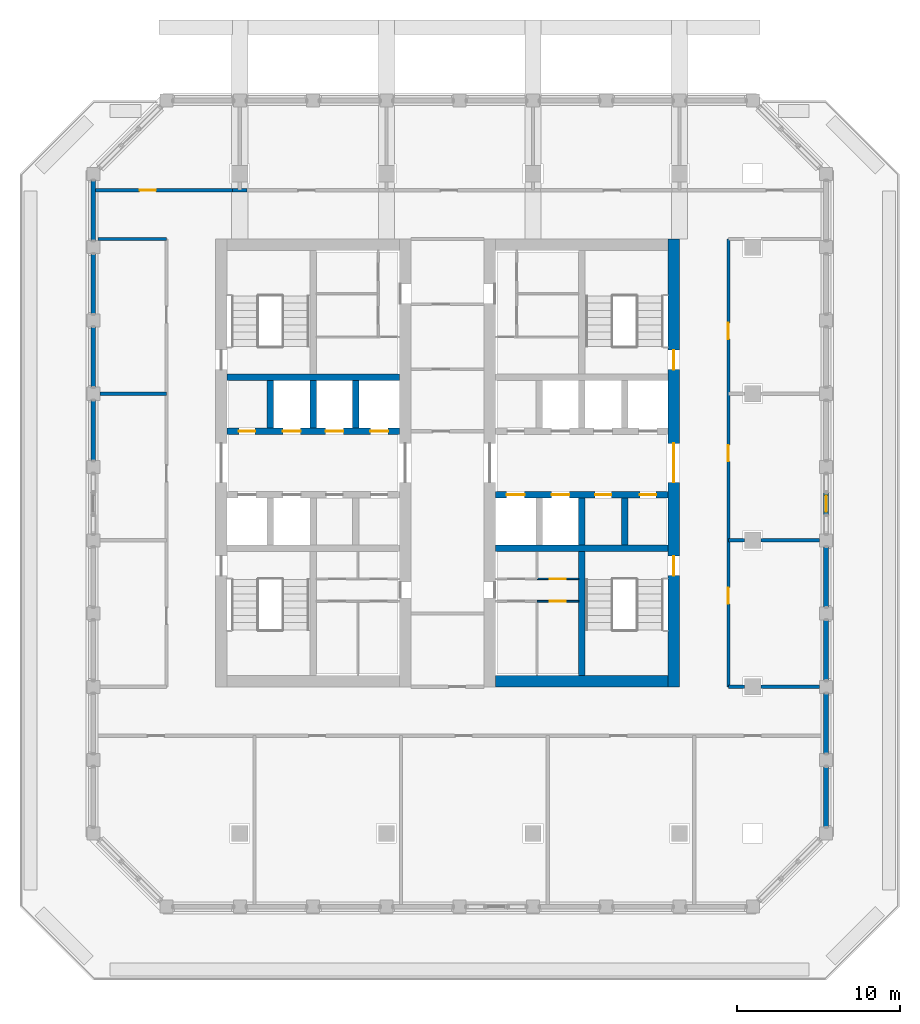
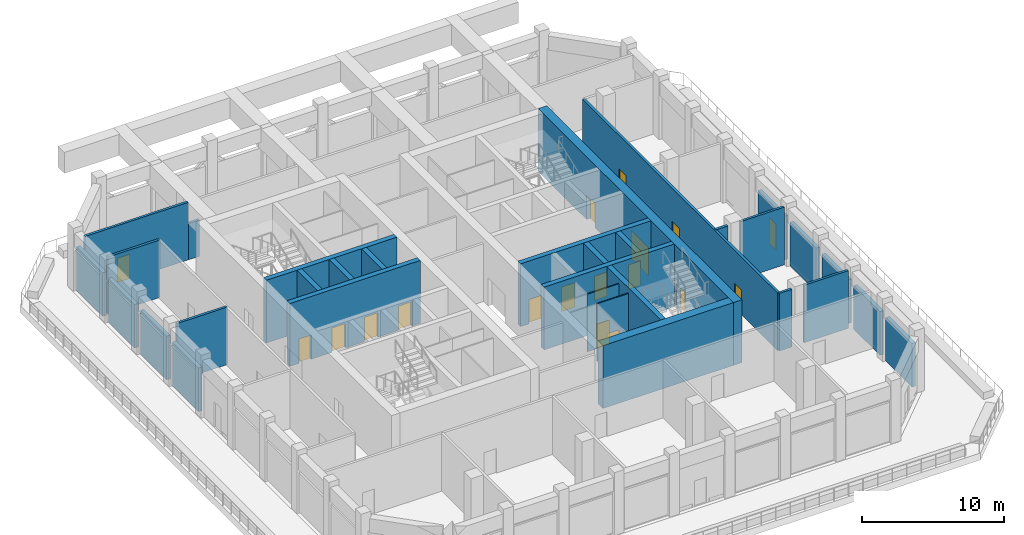
# One storey, part 5 of 19: 32 walls, 18 doors, 18 openings.
"""IFC4 building model written with IfcOpenShell, lengths in metres."""

from ifc_helpers import new_model, si_unit, direction, frame, frame_2d, origin, place, context, subcontext, project, spatial, rectangle, extrude, material, layer, layer_set, type_object, element, fill, save


model = new_model("IFC4")

# Units and contexts
model_context = context("Model", 3, precision=1e-05, world=origin(), true_north=direction((0.0, 1.0)))
body_context = subcontext(model_context, "Body", "Model", "MODEL_VIEW")
ifc_project = project(units=[si_unit("LENGTHUNIT", "METRE"), si_unit("AREAUNIT", "SQUARE_METRE"), si_unit("VOLUMEUNIT", "CUBIC_METRE"), si_unit("PLANEANGLEUNIT", "RADIAN"), si_unit("MASSUNIT", "GRAM", prefix="KILO")], contexts=[model_context])

# Site, building, storey
site_placement = place(None, origin())
site = spatial("IfcSite", under=ifc_project, at=site_placement, CompositionType="ELEMENT")
building_placement = place(site_placement, origin())
building = spatial("IfcBuilding", under=site, at=building_placement, Name="Corbel Stack Research Tower", CompositionType="ELEMENT")
storey_placement = place(building_placement, frame((0.0, 0.0, 226.199951171875)))
storey = spatial("IfcBuildingStorey", under=building, at=storey_placement, Name="L51", CompositionType="ELEMENT", Elevation=226.199951171875)

# Wall, openings, doors
ifc_material_1 = material(Name="Concrete C60/75", Category="concrete")
ifc_layer_1 = layer(ifc_material_1, 0.39990234375)
ifc_layer_set_1 = layer_set([ifc_layer_1], Name="Concrete C60/75")
wall_type_1 = type_object("IfcWallType", Name="CW-400-60", PredefinedType="SHEAR", material=ifc_layer_set_1)
wall_1_placement = place(storey_placement, frame((-9.800048828125, 6.699951171875, 0.0), z_axis=(0.0, 0.0, 1.0), x_axis=(1.0, 0.0, 0.0)))
wall_1 = element("IfcWall", 1, at=wall_1_placement, inside=storey, type_object=wall_type_1, Name="West core wall, lobby north L51", PredefinedType="SHEAR", context=body_context, shape_type="SweptSolid", body=[
    extrude(rectangle(XDim=10.60009765625, YDim=0.39990234375, at=frame_2d((5.300048828125, 0.0))), origin(), (0.0, 0.0, 1.0), 5.400146484375),
])
opening_1_placement = place(wall_1_placement, frame((3.4375, 0.0, 0.0)))
opening_1 = element("IfcOpeningElement", 2, at=opening_1_placement, cuts=wall_1, Name="Opening LD-HR1", PredefinedType="OPENING", context=body_context, shape_type="SweptSolid", body=[
    extrude(rectangle(XDim=1.10009765625, YDim=2.10009765625, at=frame_2d((0.550048828125, 1.050048828125))), frame((0.0, 0.2099609375, 0.0), z_axis=(0.0, -1.0, 0.0), x_axis=(1.0, 0.0, 0.0)), (0.0, 0.0, 1.0), 0.419921875),
])
opening_2_placement = place(wall_1_placement, frame((6.0625, 0.0, 0.0)))
opening_2 = element("IfcOpeningElement", 3, at=opening_2_placement, cuts=wall_1, Name="Opening LD-HR2", PredefinedType="OPENING", context=body_context, shape_type="SweptSolid", body=[
    extrude(rectangle(XDim=1.10009765625, YDim=2.10009765625, at=frame_2d((0.550048828125, 1.050048828125))), frame((0.0, 0.2099609375, 0.0), z_axis=(0.0, -1.0, 0.0), x_axis=(1.0, 0.0, 0.0)), (0.0, 0.0, 1.0), 0.419921875),
])
opening_3_placement = place(wall_1_placement, frame((8.8125, 0.0, 0.0)))
opening_3 = element("IfcOpeningElement", 4, at=opening_3_placement, cuts=wall_1, Name="Opening LD-HR3", PredefinedType="OPENING", context=body_context, shape_type="SweptSolid", body=[
    extrude(rectangle(XDim=1.10009765625, YDim=2.10009765625, at=frame_2d((0.550048828125, 1.050048828125))), frame((0.0, 0.2099609375, 0.0), z_axis=(0.0, -1.0, 0.0), x_axis=(1.0, 0.0, 0.0)), (0.0, 0.0, 1.0), 0.419921875),
])
opening_4_placement = place(wall_1_placement, frame((0.737548828125, 0.0, 0.0)))
opening_4 = element("IfcOpeningElement", 5, at=opening_4_placement, cuts=wall_1, Name="Opening CR-W54-N1", PredefinedType="OPENING", context=body_context, shape_type="SweptSolid", body=[
    extrude(rectangle(XDim=1.0, YDim=2.10009765625, at=frame_2d((0.5, 1.050048828125))), frame((0.0, 0.2099609375, 0.0), z_axis=(0.0, -1.0, 0.0), x_axis=(1.0, 0.0, 0.0)), (0.0, 0.0, 1.0), 0.419921875),
])
ifc_material_2 = material(Name="Stainless steel landing door", Category="steel")
door_type_1 = type_object("IfcDoorType", Name="Lift landing door 1100 x 2100", OperationType="DOUBLE_DOOR_SLIDING", PredefinedType="DOOR", material=ifc_material_2)
door_1_placement = place(opening_1_placement, origin())
door_1 = element("IfcDoor", 6, at=door_1_placement, inside=storey, type_object=door_type_1, Name="Landing door HR1", OperationType="DOUBLE_DOOR_SLIDING", OverallHeight=2.10009765625, OverallWidth=1.10009765625, PredefinedType="DOOR", context=body_context, shape_type="SweptSolid", body=[
    extrude(rectangle(XDim=1.10009765625, YDim=2.10009765625, at=frame_2d((0.550048828125, 1.050048828125))), frame((0.0, 0.02490234375, 0.0), z_axis=(0.0, -1.0, 0.0), x_axis=(1.0, 0.0, 0.0)), (0.0, 0.0, 1.0), 0.050048828125),
])
fill(opening_1, door_1)
door_2_placement = place(opening_2_placement, origin())
door_2 = element("IfcDoor", 7, at=door_2_placement, inside=storey, type_object=door_type_1, Name="Landing door HR2", OperationType="DOUBLE_DOOR_SLIDING", OverallHeight=2.10009765625, OverallWidth=1.10009765625, PredefinedType="DOOR", context=body_context, shape_type="SweptSolid", body=[
    extrude(rectangle(XDim=1.10009765625, YDim=2.10009765625, at=frame_2d((0.550048828125, 1.050048828125))), frame((0.0, 0.02490234375, 0.0), z_axis=(0.0, -1.0, 0.0), x_axis=(1.0, 0.0, 0.0)), (0.0, 0.0, 1.0), 0.050048828125),
])
fill(opening_2, door_2)
door_3_placement = place(opening_3_placement, origin())
door_3 = element("IfcDoor", 8, at=door_3_placement, inside=storey, type_object=door_type_1, Name="Landing door HR3", OperationType="DOUBLE_DOOR_SLIDING", OverallHeight=2.10009765625, OverallWidth=1.10009765625, PredefinedType="DOOR", context=body_context, shape_type="SweptSolid", body=[
    extrude(rectangle(XDim=1.10009765625, YDim=2.10009765625, at=frame_2d((0.550048828125, 1.050048828125))), frame((0.0, 0.02490234375, 0.0), z_axis=(0.0, -1.0, 0.0), x_axis=(1.0, 0.0, 0.0)), (0.0, 0.0, 1.0), 0.050048828125),
])
fill(opening_3, door_3)
ifc_material_3 = material(Name="Painted steel door", Category="steel")
door_type_2 = type_object("IfcDoorType", Name="Service door 1000 x 2100 FD60 left hand", OperationType="SINGLE_SWING_LEFT", PredefinedType="DOOR", material=ifc_material_3)
door_4_placement = place(opening_4_placement, origin())
door_4 = element("IfcDoor", 9, at=door_4_placement, inside=storey, type_object=door_type_2, Name="Records store door W core", OperationType="SINGLE_SWING_LEFT", OverallHeight=2.10009765625, OverallWidth=1.0, PredefinedType="DOOR", context=body_context, shape_type="SweptSolid", body=[
    extrude(rectangle(XDim=1.0, YDim=2.10009765625, at=frame_2d((0.5, 1.050048828125))), frame((0.0, 0.02490234375, 0.0), z_axis=(0.0, -1.0, 0.0), x_axis=(1.0, 0.0, 0.0)), (0.0, 0.0, 1.0), 0.050048828125),
])
fill(opening_4, door_4)

# Walls
wall_2_placement = place(storey_placement, frame((-9.800048828125, 10.0, 0.0), z_axis=(0.0, 0.0, 1.0), x_axis=(1.0, 0.0, 0.0)))
element("IfcWall", 10, at=wall_2_placement, inside=storey, type_object=wall_type_1, Name="West core wall, north row back L51", PredefinedType="SHEAR", context=body_context, shape_type="SweptSolid", body=[
    extrude(rectangle(XDim=10.60009765625, YDim=0.39990234375, at=frame_2d((5.300048828125, 0.0))), origin(), (0.0, 0.0, 1.0), 5.400146484375),
])
for number, where, z_axis, x_axis, name in (
    (11, (-7.125, 6.89990234375, 0.0), (0.0, 0.0, 1.0), (0.0, 1.0, 0.0), "West core wall, north shaft 1 L51"),
    (12, (-4.5, 6.89990234375, 0.0), (0.0, 0.0, 1.0), (0.0, 1.0, 0.0), "West core wall, north shaft 2 L51"),
    (13, (-1.875, 6.89990234375, 0.0), (0.0, 0.0, 1.0), (0.0, 1.0, 0.0), "West core wall, north shaft 3 L51"),
):
    element("IfcWall", number, at=place(storey_placement, frame(where, z_axis=z_axis, x_axis=x_axis)), inside=storey, type_object=wall_type_1, Name=name, PredefinedType="SHEAR", context=body_context, shape_type="SweptSolid", body=[
        extrude(rectangle(XDim=2.900146484375, YDim=0.39990234375, at=frame_2d((1.4501953125, 0.0))), origin(), (0.0, 0.0, 1.0), 5.400146484375),
    ])
wall_3_placement = place(storey_placement, frame((6.699951171875, -0.5, 0.0), z_axis=(0.0, 0.0, 1.0), x_axis=(1.0, 0.0, 0.0)))
element("IfcWall", 14, at=wall_3_placement, inside=storey, type_object=wall_type_1, Name="East core wall, south row back L51", PredefinedType="SHEAR", context=body_context, shape_type="SweptSolid", body=[
    extrude(rectangle(XDim=10.60009765625, YDim=0.39990234375, at=frame_2d((5.300048828125, 0.0))), origin(), (0.0, 0.0, 1.0), 5.400146484375),
])

# Wall, openings, doors
wall_4_placement = place(storey_placement, frame((6.699951171875, 2.800048828125, 0.0), z_axis=(0.0, 0.0, 1.0), x_axis=(1.0, 0.0, 0.0)))
wall_4 = element("IfcWall", 15, at=wall_4_placement, inside=storey, type_object=wall_type_1, Name="East core wall, lobby south L51", PredefinedType="SHEAR", context=body_context, shape_type="SweptSolid", body=[
    extrude(rectangle(XDim=10.60009765625, YDim=0.39990234375, at=frame_2d((5.300048828125, 0.0))), origin(), (0.0, 0.0, 1.0), 5.400146484375),
])
opening_5_placement = place(wall_4_placement, frame((0.6875, 0.0, 0.0)))
opening_5 = element("IfcOpeningElement", 16, at=opening_5_placement, cuts=wall_4, Name="Opening LD-FS2", PredefinedType="OPENING", context=body_context, shape_type="SweptSolid", body=[
    extrude(rectangle(XDim=1.10009765625, YDim=2.10009765625, at=frame_2d((0.550048828125, 1.050048828125))), frame((0.0, 0.2099609375, 0.0), z_axis=(0.0, -1.0, 0.0), x_axis=(1.0, 0.0, 0.0)), (0.0, 0.0, 1.0), 0.419921875),
])
opening_6_placement = place(wall_4_placement, frame((3.4375, 0.0, 0.0)))
opening_6 = element("IfcOpeningElement", 17, at=opening_6_placement, cuts=wall_4, Name="Opening LD-GL2", PredefinedType="OPENING", context=body_context, shape_type="SweptSolid", body=[
    extrude(rectangle(XDim=1.10009765625, YDim=2.10009765625, at=frame_2d((0.550048828125, 1.050048828125))), frame((0.0, 0.2099609375, 0.0), z_axis=(0.0, -1.0, 0.0), x_axis=(1.0, 0.0, 0.0)), (0.0, 0.0, 1.0), 0.419921875),
])
opening_7_placement = place(wall_4_placement, frame((6.112548828125, 0.0, 0.0)))
opening_7 = element("IfcOpeningElement", 18, at=opening_7_placement, cuts=wall_4, Name="Opening CR-E54-S3", PredefinedType="OPENING", context=body_context, shape_type="SweptSolid", body=[
    extrude(rectangle(XDim=1.0, YDim=2.10009765625, at=frame_2d((0.5, 1.050048828125))), frame((0.0, 0.2099609375, 0.0), z_axis=(0.0, -1.0, 0.0), x_axis=(1.0, 0.0, 0.0)), (0.0, 0.0, 1.0), 0.419921875),
])
opening_8_placement = place(wall_4_placement, frame((8.862548828125, 0.0, 0.0)))
opening_8 = element("IfcOpeningElement", 19, at=opening_8_placement, cuts=wall_4, Name="Opening CR-E54-S4", PredefinedType="OPENING", context=body_context, shape_type="SweptSolid", body=[
    extrude(rectangle(XDim=1.0, YDim=2.10009765625, at=frame_2d((0.5, 1.050048828125))), frame((0.0, 0.2099609375, 0.0), z_axis=(0.0, -1.0, 0.0), x_axis=(1.0, 0.0, 0.0)), (0.0, 0.0, 1.0), 0.419921875),
])
door_5_placement = place(opening_5_placement, origin())
door_5 = element("IfcDoor", 20, at=door_5_placement, inside=storey, type_object=door_type_1, Name="Landing door FS2", OperationType="DOUBLE_DOOR_SLIDING", OverallHeight=2.10009765625, OverallWidth=1.10009765625, PredefinedType="DOOR", context=body_context, shape_type="SweptSolid", body=[
    extrude(rectangle(XDim=1.10009765625, YDim=2.10009765625, at=frame_2d((0.550048828125, 1.050048828125))), frame((0.0, 0.02490234375, 0.0), z_axis=(0.0, -1.0, 0.0), x_axis=(1.0, 0.0, 0.0)), (0.0, 0.0, 1.0), 0.050048828125),
])
fill(opening_5, door_5)
door_6_placement = place(opening_6_placement, origin())
door_6 = element("IfcDoor", 21, at=door_6_placement, inside=storey, type_object=door_type_1, Name="Landing door GL2", OperationType="DOUBLE_DOOR_SLIDING", OverallHeight=2.10009765625, OverallWidth=1.10009765625, PredefinedType="DOOR", context=body_context, shape_type="SweptSolid", body=[
    extrude(rectangle(XDim=1.10009765625, YDim=2.10009765625, at=frame_2d((0.550048828125, 1.050048828125))), frame((0.0, 0.02490234375, 0.0), z_axis=(0.0, -1.0, 0.0), x_axis=(1.0, 0.0, 0.0)), (0.0, 0.0, 1.0), 0.050048828125),
])
fill(opening_6, door_6)
door_7_placement = place(opening_7_placement, origin())
door_7 = element("IfcDoor", 22, at=door_7_placement, inside=storey, type_object=door_type_2, Name="Cleaner's store door E core", OperationType="SINGLE_SWING_LEFT", OverallHeight=2.10009765625, OverallWidth=1.0, PredefinedType="DOOR", context=body_context, shape_type="SweptSolid", body=[
    extrude(rectangle(XDim=1.0, YDim=2.10009765625, at=frame_2d((0.5, 1.050048828125))), frame((0.0, 0.02490234375, 0.0), z_axis=(0.0, -1.0, 0.0), x_axis=(1.0, 0.0, 0.0)), (0.0, 0.0, 1.0), 0.050048828125),
])
fill(opening_7, door_7)
ifc_material_4 = material(Name="Painted steel door", Category="steel")
door_type_3 = type_object("IfcDoorType", Name="Service door 1000 x 2100 FD60 right hand", OperationType="SINGLE_SWING_RIGHT", PredefinedType="DOOR", material=ifc_material_4)
door_8_placement = place(opening_8_placement, origin())
door_8 = element("IfcDoor", 23, at=door_8_placement, inside=storey, type_object=door_type_3, Name="Vending bay door E core", OperationType="SINGLE_SWING_RIGHT", OverallHeight=2.10009765625, OverallWidth=1.0, PredefinedType="DOOR", context=body_context, shape_type="SweptSolid", body=[
    extrude(rectangle(XDim=1.0, YDim=2.10009765625, at=frame_2d((0.5, 1.050048828125))), frame((0.0, 0.02490234375, 0.0), z_axis=(0.0, -1.0, 0.0), x_axis=(1.0, 0.0, 0.0)), (0.0, 0.0, 1.0), 0.050048828125),
])
fill(opening_8, door_8)

# Walls
for number, where, z_axis, x_axis, name in (
    (24, (12.0, -0.300048828125, 0.0), (0.0, 0.0, 1.0), (0.0, 1.0, 0.0), "East core wall, south shaft 2 L51"),
    (25, (14.625, -0.300048828125, 0.0), (0.0, 0.0, 1.0), (0.0, 1.0, 0.0), "East core wall, south shaft 3 L51"),
):
    element("IfcWall", number, at=place(storey_placement, frame(where, z_axis=z_axis, x_axis=x_axis)), inside=storey, type_object=wall_type_1, Name=name, PredefinedType="SHEAR", context=body_context, shape_type="SweptSolid", body=[
        extrude(rectangle(XDim=2.900146484375, YDim=0.39990234375, at=frame_2d((1.4501953125, 0.0))), origin(), (0.0, 0.0, 1.0), 5.400146484375),
    ])
wall_5_placement = place(storey_placement, frame((12.0, -8.300048828125, 0.0), z_axis=(0.0, 0.0, 1.0), x_axis=(0.0, 1.0, 0.0)))
element("IfcWall", 26, at=wall_5_placement, inside=storey, type_object=wall_type_1, Name="East core wall, south stair and WC L51", PredefinedType="SHEAR", context=body_context, shape_type="SweptSolid", body=[
    extrude(rectangle(XDim=7.60009765625, YDim=0.39990234375, at=frame_2d((3.800048828125, 0.0))), origin(), (0.0, 0.0, 1.0), 5.400146484375),
])

# Wall, openings, doors
ifc_material_5 = material(Name="Concrete C60/75", Category="concrete")
ifc_layer_2 = layer(ifc_material_5, 0.699951171875)
ifc_layer_set_2 = layer_set([ifc_layer_2], Name="Concrete C60/75")
wall_type_2 = type_object("IfcWallType", Name="CW-700-60", PredefinedType="SHEAR", material=ifc_layer_set_2)
wall_6_placement = place(storey_placement, frame((17.64990234375, -9.0, 0.0), z_axis=(0.0, 0.0, 1.0), x_axis=(0.0, 1.0, 0.0)))
wall_6 = element("IfcWall", 27, at=wall_6_placement, inside=storey, type_object=wall_type_2, Name="East core wall, east face L51", PredefinedType="SHEAR", context=body_context, shape_type="SweptSolid", body=[
    extrude(rectangle(XDim=27.5, YDim=0.699951171875, at=frame_2d((13.75, 0.0))), origin(), (0.0, 0.0, 1.0), 5.400146484375),
])
opening_9_placement = place(wall_6_placement, frame((12.550048828125, 0.0, 0.0)))
opening_9 = element("IfcOpeningElement", 28, at=opening_9_placement, cuts=wall_6, Name="Opening CD-E-E", PredefinedType="OPENING", context=body_context, shape_type="SweptSolid", body=[
    extrude(rectangle(XDim=2.39990234375, YDim=2.39990234375, at=frame_2d((1.199951171875, 1.199951171875))), frame((0.0, 0.35986328125, 0.0), z_axis=(0.0, -1.0, 0.0), x_axis=(1.0, 0.0, 0.0)), (0.0, 0.0, 1.0), 0.719970703125),
])
opening_10_placement = place(wall_6_placement, frame((6.824951171875, 0.0, 0.0)))
opening_10 = element("IfcOpeningElement", 29, at=opening_10_placement, cuts=wall_6, Name="Opening SD-ST-E1", PredefinedType="OPENING", context=body_context, shape_type="SweptSolid", body=[
    extrude(rectangle(XDim=1.199951171875, YDim=2.10009765625, at=frame_2d((0.60009765625, 1.050048828125))), frame((0.0, 0.35986328125, 0.0), z_axis=(0.0, -1.0, 0.0), x_axis=(1.0, 0.0, 0.0)), (0.0, 0.0, 1.0), 0.719970703125),
])
opening_11_placement = place(wall_6_placement, frame((19.47509765625, 0.0, 0.0)))
opening_11 = element("IfcOpeningElement", 30, at=opening_11_placement, cuts=wall_6, Name="Opening SD-ST-E2", PredefinedType="OPENING", context=body_context, shape_type="SweptSolid", body=[
    extrude(rectangle(XDim=1.199951171875, YDim=2.10009765625, at=frame_2d((0.60009765625, 1.050048828125))), frame((0.0, 0.35986328125, 0.0), z_axis=(0.0, -1.0, 0.0), x_axis=(1.0, 0.0, 0.0)), (0.0, 0.0, 1.0), 0.719970703125),
])
ifc_material_6 = material(Name="Painted steel fire door", Category="steel")
door_type_4 = type_object("IfcDoorType", Name="Lobby door pair 2400 x 2400 FD30S", OperationType="DOUBLE_DOOR_DOUBLE_SWING", PredefinedType="DOOR", material=ifc_material_6)
door_9_placement = place(opening_9_placement, origin())
door_9 = element("IfcDoor", 31, at=door_9_placement, inside=storey, type_object=door_type_4, Name="Lift lobby door E core E", OperationType="DOUBLE_DOOR_DOUBLE_SWING", OverallHeight=2.39990234375, OverallWidth=2.39990234375, PredefinedType="DOOR", context=body_context, shape_type="SweptSolid", body=[
    extrude(rectangle(XDim=2.39990234375, YDim=2.39990234375, at=frame_2d((1.199951171875, 1.199951171875))), frame((0.0, 0.02490234375, 0.0), z_axis=(0.0, -1.0, 0.0), x_axis=(1.0, 0.0, 0.0)), (0.0, 0.0, 1.0), 0.050048828125),
])
fill(opening_9, door_9)
ifc_material_7 = material(Name="Painted steel fire door", Category="steel")
door_type_5 = type_object("IfcDoorType", Name="Stair door 1200 x 2100 FD90 right hand", OperationType="SINGLE_SWING_RIGHT", PredefinedType="DOOR", material=ifc_material_7)
door_10_placement = place(opening_10_placement, frame((1.199951171875, 0.0, 0.0), z_axis=(0.0, 0.0, 1.0), x_axis=(-1.0, 0.0, 0.0)))
door_10 = element("IfcDoor", 32, at=door_10_placement, inside=storey, type_object=door_type_5, Name="Stair door ST-E1", OperationType="SINGLE_SWING_LEFT", OverallHeight=2.10009765625, OverallWidth=1.199951171875, PredefinedType="DOOR", context=body_context, shape_type="SweptSolid", body=[
    extrude(rectangle(XDim=1.199951171875, YDim=2.10009765625, at=frame_2d((0.60009765625, 1.050048828125))), frame((0.0, 0.02490234375, 0.0), z_axis=(0.0, -1.0, 0.0), x_axis=(1.0, 0.0, 0.0)), (0.0, 0.0, 1.0), 0.050048828125),
])
fill(opening_10, door_10)
door_11_placement = place(opening_11_placement, frame((1.199951171875, 0.0, 0.0), z_axis=(0.0, 0.0, 1.0), x_axis=(-1.0, 0.0, 0.0)))
door_11 = element("IfcDoor", 33, at=door_11_placement, inside=storey, type_object=door_type_5, Name="Stair door ST-E2", OperationType="SINGLE_SWING_LEFT", OverallHeight=2.10009765625, OverallWidth=1.199951171875, PredefinedType="DOOR", context=body_context, shape_type="SweptSolid", body=[
    extrude(rectangle(XDim=1.199951171875, YDim=2.10009765625, at=frame_2d((0.60009765625, 1.050048828125))), frame((0.0, 0.02490234375, 0.0), z_axis=(0.0, -1.0, 0.0), x_axis=(1.0, 0.0, 0.0)), (0.0, 0.0, 1.0), 0.050048828125),
])
fill(opening_11, door_11)

# Wall
wall_7_placement = place(storey_placement, frame((6.699951171875, -8.64990234375, 0.0), z_axis=(0.0, 0.0, 1.0), x_axis=(1.0, 0.0, 0.0)))
element("IfcWall", 34, at=wall_7_placement, inside=storey, type_object=wall_type_2, Name="East core wall, south end L51", PredefinedType="SHEAR", context=body_context, shape_type="SweptSolid", body=[
    extrude(rectangle(XDim=10.60009765625, YDim=0.699951171875, at=frame_2d((5.300048828125, 0.0))), origin(), (0.0, 0.0, 1.0), 5.400146484375),
])

# Wall, opening, door
ifc_material_8 = material(Name="Gypsum board")
ifc_layer_3 = layer(ifc_material_8, 0.10009765625)
ifc_layer_set_3 = layer_set([ifc_layer_3], Name="Gypsum board")
wall_type_3 = type_object("IfcWallType", Name="Core partition 100", PredefinedType="PARTITIONING", material=ifc_layer_set_3)
wall_8_placement = place(storey_placement, frame((9.25, -3.739990234375, 0.0), z_axis=(0.0, 0.0, 1.0), x_axis=(1.0, 0.0, 0.0)))
wall_8 = element("IfcWall", 35, at=wall_8_placement, inside=storey, type_object=wall_type_3, Name="Core partition E", PredefinedType="PARTITIONING", context=body_context, shape_type="SweptSolid", body=[
    extrude(rectangle(XDim=2.550048828125, YDim=0.10009765625, at=frame_2d((1.27490234375, 0.0))), origin(), (0.0, 0.0, 1.0), 4.949951171875),
])
opening_12_placement = place(wall_8_placement, frame((0.77490234375, 0.0, 0.0)))
opening_12 = element("IfcOpeningElement", 36, at=opening_12_placement, cuts=wall_8, Name="Opening CR-E54-W3-1000", PredefinedType="OPENING", context=body_context, shape_type="SweptSolid", body=[
    extrude(rectangle(XDim=1.0, YDim=2.10009765625, at=frame_2d((0.5, 1.050048828125))), frame((0.0, 0.06005859375, 0.0), z_axis=(0.0, -1.0, 0.0), x_axis=(1.0, 0.0, 0.0)), (0.0, 0.0, 1.0), 0.1201171875),
])
ifc_material_9 = material(Name="Painted timber door", Category="wood")
door_type_6 = type_object("IfcDoorType", Name="WC door 1000 x 2100 right hand", OperationType="SINGLE_SWING_RIGHT", PredefinedType="DOOR", material=ifc_material_9)
door_12_placement = place(opening_12_placement, origin())
door_12 = element("IfcDoor", 37, at=door_12_placement, inside=storey, type_object=door_type_6, Name="Men's WC door E core", OperationType="SINGLE_SWING_RIGHT", OverallHeight=2.10009765625, OverallWidth=1.0, PredefinedType="DOOR", context=body_context, shape_type="SweptSolid", body=[
    extrude(rectangle(XDim=1.0, YDim=2.10009765625, at=frame_2d((0.5, 1.050048828125))), frame((0.0, 0.02490234375, 0.0), z_axis=(0.0, -1.0, 0.0), x_axis=(1.0, 0.0, 0.0)), (0.0, 0.0, 1.0), 0.050048828125),
])
fill(opening_12, door_12)

wall_9_placement = place(storey_placement, frame((9.25, -2.3720703125, 0.0), z_axis=(0.0, 0.0, 1.0), x_axis=(1.0, 0.0, 0.0)))
wall_9 = element("IfcWall", 38, at=wall_9_placement, inside=storey, type_object=wall_type_3, Name="Core partition E", PredefinedType="PARTITIONING", context=body_context, shape_type="SweptSolid", body=[
    extrude(rectangle(XDim=2.550048828125, YDim=0.10009765625, at=frame_2d((1.27490234375, 0.0))), origin(), (0.0, 0.0, 1.0), 4.949951171875),
])
opening_13_placement = place(wall_9_placement, frame((0.77490234375, 0.0, 0.0)))
opening_13 = element("IfcOpeningElement", 39, at=opening_13_placement, cuts=wall_9, Name="Opening CR-E54-W5-1000", PredefinedType="OPENING", context=body_context, shape_type="SweptSolid", body=[
    extrude(rectangle(XDim=1.0, YDim=2.10009765625, at=frame_2d((0.5, 1.050048828125))), frame((0.0, 0.06005859375, 0.0), z_axis=(0.0, -1.0, 0.0), x_axis=(1.0, 0.0, 0.0)), (0.0, 0.0, 1.0), 0.1201171875),
])
door_13_placement = place(opening_13_placement, origin())
door_13 = element("IfcDoor", 40, at=door_13_placement, inside=storey, type_object=door_type_6, Name="Shower and changing room door E core", OperationType="SINGLE_SWING_RIGHT", OverallHeight=2.10009765625, OverallWidth=1.0, PredefinedType="DOOR", context=body_context, shape_type="SweptSolid", body=[
    extrude(rectangle(XDim=1.0, YDim=2.10009765625, at=frame_2d((0.5, 1.050048828125))), frame((0.0, 0.02490234375, 0.0), z_axis=(0.0, -1.0, 0.0), x_axis=(1.0, 0.0, 0.0)), (0.0, 0.0, 1.0), 0.050048828125),
])
fill(opening_13, door_13)

# Wall, openings, doors
ifc_material_10 = material(Name="Fire-rated gypsum board partition on steel studs", Category="steel")
ifc_layer_4 = layer(ifc_material_10, 0.199951171875)
ifc_layer_set_4 = layer_set([ifc_layer_4], Name="Fire-rated gypsum board partition on steel studs")
wall_type_4 = type_object("IfcWallType", Name="Fire-rated partition 200 EI 60", PredefinedType="PARTITIONING", material=ifc_layer_set_4)
wall_10_placement = place(storey_placement, frame((21.0, 18.5, 0.0), z_axis=(0.0, 0.0, 1.0), x_axis=(0.0, -1.0, 0.0)))
wall_10 = element("IfcWall", 41, at=wall_10_placement, inside=storey, type_object=wall_type_4, Name="Partition L51-014", PredefinedType="PARTITIONING", context=body_context, shape_type="SweptSolid", body=[
    extrude(rectangle(XDim=27.5, YDim=0.199951171875, at=frame_2d((13.75, 0.0))), origin(), (0.0, 0.0, 1.0), 4.949951171875),
])
opening_14_placement = place(wall_10_placement, frame((21.39990234375, 0.0, 0.0)))
opening_14 = element("IfcOpeningElement", 42, at=opening_14_placement, cuts=wall_10, Name="Opening PLANTL51-013", PredefinedType="OPENING", context=body_context, shape_type="SweptSolid", body=[
    extrude(rectangle(XDim=1.0, YDim=2.10009765625, at=frame_2d((0.5, 1.050048828125))), frame((0.0, 0.10986328125, 0.0), z_axis=(0.0, -1.0, 0.0), x_axis=(1.0, 0.0, 0.0)), (0.0, 0.0, 1.0), 0.219970703125),
])
opening_15_placement = place(wall_10_placement, frame((12.64990234375, 0.0, 0.0)))
opening_15 = element("IfcOpeningElement", 43, at=opening_15_placement, cuts=wall_10, Name="Opening PLANTL51-014", PredefinedType="OPENING", context=body_context, shape_type="SweptSolid", body=[
    extrude(rectangle(XDim=1.0, YDim=2.10009765625, at=frame_2d((0.5, 1.050048828125))), frame((0.0, 0.10986328125, 0.0), z_axis=(0.0, -1.0, 0.0), x_axis=(1.0, 0.0, 0.0)), (0.0, 0.0, 1.0), 0.219970703125),
])
opening_16_placement = place(wall_10_placement, frame((5.14990234375, 0.0, 0.0)))
opening_16 = element("IfcOpeningElement", 44, at=opening_16_placement, cuts=wall_10, Name="Opening PLANTL51-015", PredefinedType="OPENING", context=body_context, shape_type="SweptSolid", body=[
    extrude(rectangle(XDim=1.0, YDim=2.10009765625, at=frame_2d((0.5, 1.050048828125))), frame((0.0, 0.10986328125, 0.0), z_axis=(0.0, -1.0, 0.0), x_axis=(1.0, 0.0, 0.0)), (0.0, 0.0, 1.0), 0.219970703125),
])
ifc_material_11 = material(Name="Painted steel fire door", Category="steel")
door_type_7 = type_object("IfcDoorType", Name="Fire door FD30S 1000 x 2100", OperationType="NOTDEFINED", PredefinedType="DOOR", material=ifc_material_11)
door_14_placement = place(opening_14_placement, origin())
door_14 = element("IfcDoor", 45, at=door_14_placement, inside=storey, type_object=door_type_7, Name="Door PLANTL51-013", OperationType="SINGLE_SWING_RIGHT", OverallHeight=2.10009765625, OverallWidth=1.0, PredefinedType="DOOR", context=body_context, shape_type="SweptSolid", body=[
    extrude(rectangle(XDim=1.0, YDim=2.10009765625, at=frame_2d((0.5, 1.050048828125))), frame((0.0, 0.02490234375, 0.0), z_axis=(0.0, -1.0, 0.0), x_axis=(1.0, 0.0, 0.0)), (0.0, 0.0, 1.0), 0.050048828125),
])
fill(opening_14, door_14)
door_15_placement = place(opening_15_placement, origin())
door_15 = element("IfcDoor", 46, at=door_15_placement, inside=storey, type_object=door_type_7, Name="Door PLANTL51-014", OperationType="SINGLE_SWING_LEFT", OverallHeight=2.10009765625, OverallWidth=1.0, PredefinedType="DOOR", context=body_context, shape_type="SweptSolid", body=[
    extrude(rectangle(XDim=1.0, YDim=2.10009765625, at=frame_2d((0.5, 1.050048828125))), frame((0.0, 0.02490234375, 0.0), z_axis=(0.0, -1.0, 0.0), x_axis=(1.0, 0.0, 0.0)), (0.0, 0.0, 1.0), 0.050048828125),
])
fill(opening_15, door_15)
door_16_placement = place(opening_16_placement, origin())
door_16 = element("IfcDoor", 47, at=door_16_placement, inside=storey, type_object=door_type_7, Name="Door PLANTL51-015", OperationType="SINGLE_SWING_LEFT", OverallHeight=2.10009765625, OverallWidth=1.0, PredefinedType="DOOR", context=body_context, shape_type="SweptSolid", body=[
    extrude(rectangle(XDim=1.0, YDim=2.10009765625, at=frame_2d((0.5, 1.050048828125))), frame((0.0, 0.02490234375, 0.0), z_axis=(0.0, -1.0, 0.0), x_axis=(1.0, 0.0, 0.0)), (0.0, 0.0, 1.0), 0.050048828125),
])
fill(opening_16, door_16)

# Walls
wall_11_placement = place(storey_placement, frame((21.0, -9.0, 0.0), z_axis=(0.0, 0.0, 1.0), x_axis=(1.0, 0.0, 0.0)))
element("IfcWall", 48, at=wall_11_placement, inside=storey, type_object=wall_type_4, Name="Partition L51-018", PredefinedType="PARTITIONING", context=body_context, shape_type="SweptSolid", body=[
    extrude(rectangle(XDim=1.0, YDim=0.199951171875, at=frame_2d((0.5, 0.0))), origin(), (0.0, 0.0, 1.0), 4.949951171875),
])
wall_12_placement = place(storey_placement, frame((23.0, -9.0, 0.0), z_axis=(0.0, 0.0, 1.0), x_axis=(1.0, 0.0, 0.0)))
element("IfcWall", 49, at=wall_12_placement, inside=storey, type_object=wall_type_4, Name="Partition L51-019", PredefinedType="PARTITIONING", context=body_context, shape_type="SweptSolid", body=[
    extrude(rectangle(XDim=3.60009765625, YDim=0.199951171875, at=frame_2d((1.800048828125, 0.0))), origin(), (0.0, 0.0, 1.0), 4.949951171875),
])
wall_13_placement = place(storey_placement, frame((21.0, 0.0, 0.0), z_axis=(0.0, 0.0, 1.0), x_axis=(1.0, 0.0, 0.0)))
element("IfcWall", 50, at=wall_13_placement, inside=storey, type_object=wall_type_4, Name="Partition L51-022", PredefinedType="PARTITIONING", context=body_context, shape_type="SweptSolid", body=[
    extrude(rectangle(XDim=1.0, YDim=0.199951171875, at=frame_2d((0.5, 0.0))), origin(), (0.0, 0.0, 1.0), 4.949951171875),
])
wall_14_placement = place(storey_placement, frame((23.0, 0.0, 0.0), z_axis=(0.0, 0.0, 1.0), x_axis=(1.0, 0.0, 0.0)))
element("IfcWall", 51, at=wall_14_placement, inside=storey, type_object=wall_type_4, Name="Partition L51-023", PredefinedType="PARTITIONING", context=body_context, shape_type="SweptSolid", body=[
    extrude(rectangle(XDim=3.60009765625, YDim=0.199951171875, at=frame_2d((1.800048828125, 0.0))), origin(), (0.0, 0.0, 1.0), 4.949951171875),
])
wall_15_placement = place(storey_placement, frame((-17.60009765625, 9.0, 0.0), z_axis=(0.0, 0.0, 1.0), x_axis=(1.0, 0.0, 0.0)))
element("IfcWall", 52, at=wall_15_placement, inside=storey, type_object=wall_type_4, Name="Partition L51-025", PredefinedType="PARTITIONING", context=body_context, shape_type="SweptSolid", body=[
    extrude(rectangle(XDim=4.10009765625, YDim=0.199951171875, at=frame_2d((2.050048828125, 0.0))), origin(), (0.0, 0.0, 1.0), 4.949951171875),
])
wall_16_placement = place(storey_placement, frame((-17.700927734375, 18.5, 0.0), z_axis=(0.0, 0.0, 1.0), x_axis=(1.0, 0.0, 0.0)))
element("IfcWall", 53, at=wall_16_placement, inside=storey, type_object=wall_type_4, Name="Partition L51-030", PredefinedType="PARTITIONING", context=body_context, shape_type="SweptSolid", body=[
    extrude(rectangle(XDim=4.200927734375, YDim=0.199951171875, at=frame_2d((2.1005859375, 0.0))), origin(), (0.0, 0.0, 1.0), 4.949951171875),
])

# Wall, opening, door
wall_17_placement = place(storey_placement, frame((-17.85009765625, 21.5, 0.0), z_axis=(0.0, 0.0, 1.0), x_axis=(1.0, 0.0, 0.0)))
wall_17 = element("IfcWall", 54, at=wall_17_placement, inside=storey, type_object=wall_type_4, Name="Partition L51-034", PredefinedType="PARTITIONING", context=body_context, shape_type="SweptSolid", body=[
    extrude(rectangle(XDim=8.400146484375, YDim=0.199951171875, at=frame_2d((4.2001953125, 0.0))), origin(), (0.0, 0.0, 1.0), 4.949951171875),
])
opening_17_placement = place(wall_17_placement, frame((2.699951171875, 0.0, 0.0)))
opening_17 = element("IfcOpeningElement", 55, at=opening_17_placement, cuts=wall_17, Name="Opening PLANTL51-016", PredefinedType="OPENING", context=body_context, shape_type="SweptSolid", body=[
    extrude(rectangle(XDim=1.0, YDim=2.10009765625, at=frame_2d((0.5, 1.050048828125))), frame((0.0, 0.10986328125, 0.0), z_axis=(0.0, -1.0, 0.0), x_axis=(1.0, 0.0, 0.0)), (0.0, 0.0, 1.0), 0.219970703125),
])
door_17_placement = place(opening_17_placement, origin())
door_17 = element("IfcDoor", 56, at=door_17_placement, inside=storey, type_object=door_type_7, Name="Door PLANTL51-016", OperationType="SINGLE_SWING_LEFT", OverallHeight=2.10009765625, OverallWidth=1.0, PredefinedType="DOOR", context=body_context, shape_type="SweptSolid", body=[
    extrude(rectangle(XDim=1.0, YDim=2.10009765625, at=frame_2d((0.5, 1.050048828125))), frame((0.0, 0.02490234375, 0.0), z_axis=(0.0, -1.0, 0.0), x_axis=(1.0, 0.0, 0.0)), (0.0, 0.0, 1.0), 0.050048828125),
])
fill(opening_17, door_17)

# Walls
wall_18_placement = place(storey_placement, frame((-9.449951171875, 21.5, 0.0), z_axis=(0.0, 0.0, 1.0), x_axis=(1.0, 0.0, 0.0)))
element("IfcWall", 57, at=wall_18_placement, inside=storey, type_object=wall_type_4, Name="Partition L51-035", PredefinedType="PARTITIONING", context=body_context, shape_type="SweptSolid", body=[
    extrude(rectangle(XDim=0.89990234375, YDim=0.199951171875, at=frame_2d((0.449951171875, 0.0))), origin(), (0.0, 0.0, 1.0), 3.1201171875),
])
ifc_material_12 = material(Name="Concrete C45/55", Category="concrete")
ifc_layer_5 = layer(ifc_material_12, 0.300048828125)
ifc_layer_set_5 = layer_set([ifc_layer_5], Name="Concrete C45/55")
wall_type_5 = type_object("IfcWallType", Name="Terracotta-faced concrete wall 300", PredefinedType="SOLIDWALL", material=ifc_layer_set_5)
for number, where, z_axis, x_axis, name in (
    (58, (27.0, -13.89990234375, 0.0), (0.0, 0.0, 1.0), (0.0, -1.0, 0.0), "Facade wall L51 E01"),
    (59, (27.0, -9.39990234375, 0.0), (0.0, 0.0, 1.0), (0.0, -1.0, 0.0), "Facade wall L51 E02"),
    (60, (27.0, -4.89990234375, 0.0), (0.0, 0.0, 1.0), (0.0, -1.0, 0.0), "Facade wall L51 E03"),
    (61, (27.0, -0.39990234375, 0.0), (0.0, 0.0, 1.0), (0.0, -1.0, 0.0), "Facade wall L51 E04"),
):
    element("IfcWall", number, at=place(storey_placement, frame(where, z_axis=z_axis, x_axis=x_axis)), inside=storey, type_object=wall_type_5, Name=name, PredefinedType="SOLIDWALL", context=body_context, shape_type="SweptSolid", body=[
        extrude(rectangle(XDim=3.7001953125, YDim=0.300048828125, at=frame_2d((1.85009765625, 0.0))), origin(), (0.0, 0.0, 1.0), 3.75),
    ])

# Wall, opening, door
wall_19_placement = place(storey_placement, frame((27.0, 4.10009765625, 0.0), z_axis=(0.0, 0.0, 1.0), x_axis=(0.0, -1.0, 0.0)))
wall_19 = element("IfcWall", 62, at=wall_19_placement, inside=storey, type_object=wall_type_5, Name="Facade wall L51 E05", PredefinedType="SOLIDWALL", context=body_context, shape_type="SweptSolid", body=[
    extrude(rectangle(XDim=3.7001953125, YDim=0.300048828125, at=frame_2d((1.85009765625, 0.0))), origin(), (0.0, 0.0, 1.0), 3.75),
])
opening_18_placement = place(wall_19_placement, frame((1.35009765625, 0.0, 0.0)))
opening_18 = element("IfcOpeningElement", 63, at=opening_18_placement, cuts=wall_19, Name="Opening L51-B03", PredefinedType="OPENING", context=body_context, shape_type="SweptSolid", body=[
    extrude(rectangle(XDim=1.0, YDim=2.199951171875, at=frame_2d((0.5, 1.10009765625))), frame((0.0, 0.159912109375, 0.0), z_axis=(0.0, -1.0, 0.0), x_axis=(1.0, 0.0, 0.0)), (0.0, 0.0, 1.0), 0.320068359375),
])
ifc_material_13 = material(Name="Aluminium frame, clear double glazing", Category="aluminium")
door_type_8 = type_object("IfcDoorType", Name="Balcony door BD1 1000 x 2200", OperationType="NOTDEFINED", PredefinedType="DOOR", material=ifc_material_13)
door_18_placement = place(opening_18_placement, origin())
door_18 = element("IfcDoor", 64, at=door_18_placement, inside=storey, type_object=door_type_8, Name="Balcony door L51-B03", OperationType="SINGLE_SWING_RIGHT", OverallHeight=2.199951171875, OverallWidth=1.0, PredefinedType="DOOR", context=body_context, shape_type="SweptSolid", body=[
    extrude(rectangle(XDim=1.0, YDim=2.199951171875, at=frame_2d((0.5, 1.10009765625))), frame((0.0, 0.02490234375, 0.0), z_axis=(0.0, -1.0, 0.0), x_axis=(1.0, 0.0, 0.0)), (0.0, 0.0, 1.0), 0.050048828125),
])
fill(opening_18, door_18)

# Walls
for number, where, z_axis, x_axis, name in (
    (65, (-18.0, 18.39990234375, 0.0), (0.0, 0.0, 1.0), (0.0, 1.0, 0.0), "Facade wall L51 W01"),
    (66, (-18.0, 13.89990234375, 0.0), (0.0, 0.0, 1.0), (0.0, 1.0, 0.0), "Facade wall L51 W02"),
    (67, (-18.0, 9.39990234375, 0.0), (0.0, 0.0, 1.0), (0.0, 1.0, 0.0), "Facade wall L51 W03"),
    (68, (-18.0, 4.89990234375, 0.0), (0.0, 0.0, 1.0), (0.0, 1.0, 0.0), "Facade wall L51 W04"),
):
    element("IfcWall", number, at=place(storey_placement, frame(where, z_axis=z_axis, x_axis=x_axis)), inside=storey, type_object=wall_type_5, Name=name, PredefinedType="SOLIDWALL", context=body_context, shape_type="SweptSolid", body=[
        extrude(rectangle(XDim=3.7001953125, YDim=0.300048828125, at=frame_2d((1.85009765625, 0.0))), origin(), (0.0, 0.0, 1.0), 3.75),
    ])

save(model, "model.ifc")
